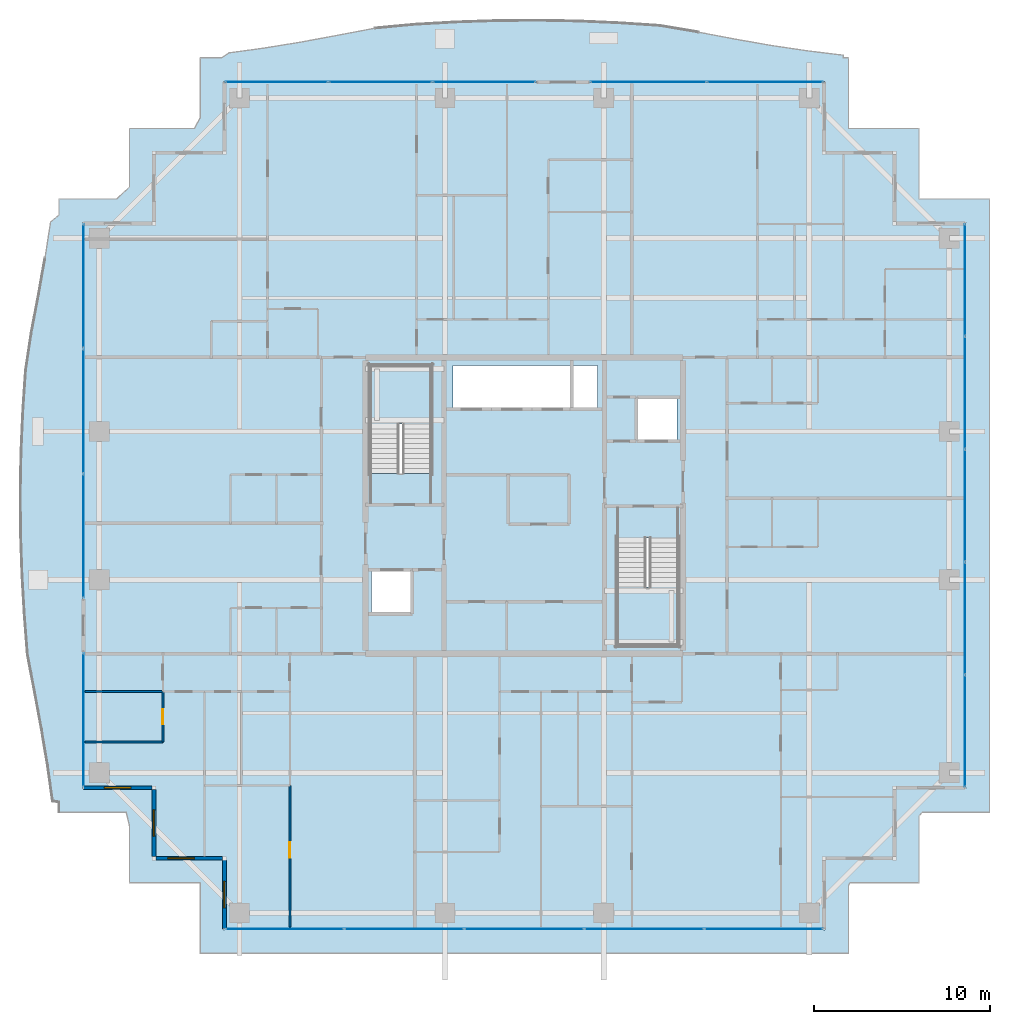
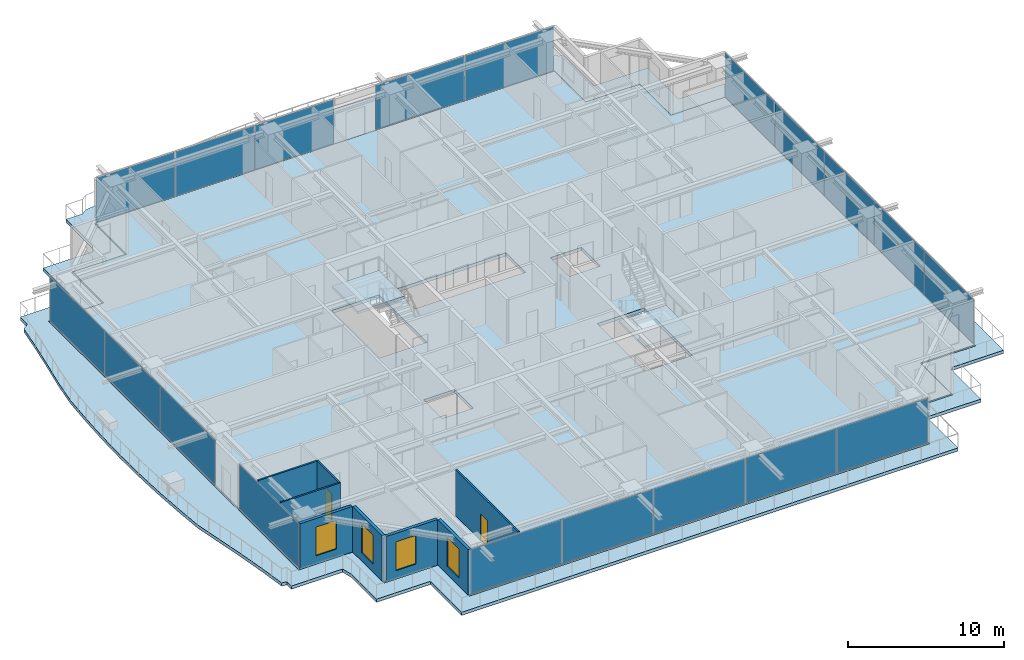
# One storey, part 26 of 39: 19 plates, 8 walls, 4 slabs, 4 windows, 2 doors, 6 openings, 8 elements without a shape of their own.
"""IFC4 building model written with IfcOpenShell, lengths in metres."""

from ifc_helpers import new_model, si_unit, direction, frame, frame_2d, origin, origin_2d, place, context, subcontext, project, spatial, polyline, rectangle, outline, extrude, source, transform, mapped, material, layer, layer_set, type_object, element, fill, aggregate, save


model = new_model("IFC4")

# Units and contexts
model_context = context("Model", 3, precision=1e-05, world=origin(), true_north=direction((0.0, 1.0)))
body_context = subcontext(model_context, "Body", "Model", "MODEL_VIEW")
ifc_project = project(units=[si_unit("LENGTHUNIT", "METRE"), si_unit("AREAUNIT", "SQUARE_METRE"), si_unit("VOLUMEUNIT", "CUBIC_METRE"), si_unit("PLANEANGLEUNIT", "RADIAN"), si_unit("MASSUNIT", "GRAM", prefix="KILO")], contexts=[model_context])

# Site, building, storey
site_placement = place(None, origin())
site = spatial("IfcSite", under=ifc_project, at=site_placement, CompositionType="ELEMENT")
building_placement = place(site_placement, origin())
building = spatial("IfcBuilding", under=site, at=building_placement, Name="Serunith Strait Residences", CompositionType="ELEMENT")
storey_placement = place(building_placement, frame((0.0, 0.0, 222.0)))
storey = spatial("IfcBuildingStorey", under=building, at=storey_placement, Name="L55", CompositionType="ELEMENT", Elevation=222.0)

# Slab
ifc_material_1 = material(Name="Concrete C50/60", Category="concrete")
ifc_layer_1 = layer(ifc_material_1, 0.239990234375, Name="Concrete C50/60")
ifc_layer_set_1 = layer_set([ifc_layer_1], Name="Concrete C50/60")
slab_type_1 = type_object("IfcSlabType", Name="SLB-BALC-240", PredefinedType="FLOOR", material=ifc_layer_set_1)
slab_1_placement = place(storey_placement, frame((0.0, 0.0, -0.2900390625)))
element("IfcSlab", 1, at=slab_1_placement, inside=storey, type_object=slab_type_1, Name="L55 Planted Vertical-Forest Balcony Slab", PredefinedType="FLOOR", context=body_context, shape_type="SweptSolid", body=[
    extrude(outline(polyline([(6.02001953125, 7.820068359375), (6.02001953125, 8.3837890625), (5.662109375, 8.444091796875), (5.37548828125, 10.4716796875), (5.03369140625, 12.520263671875), (4.646728515625, 14.607421875), (4.239501953125, 16.751953125), (4.06298828125, 19.01318359375), (3.931396484375, 21.309326171875), (3.852294921875, 23.6298828125), (3.833740234375, 25.9619140625), (3.878173828125, 28.289794921875), (3.980712890625, 30.599609375), (4.13232421875, 32.87939453125), (4.46533203125, 35.0703125), (4.86572265625, 37.177490234375), (5.22998046875, 39.23779296875), (5.541748046875, 41.270263671875), (6.02001953125, 41.672119140625), (6.02001953125, 42.580078125), (9.29443359375, 42.580078125), (10.02001953125, 43.254150390625), (10.02001953125, 46.580078125), (13.6962890625, 46.580078125), (14.02001953125, 47.163818359375), (14.02001953125, 50.580078125), (15.241455078125, 50.580078125), (15.6484375, 50.862060546875), (17.67431640625, 51.138671875), (19.719482421875, 51.472900390625), (21.802001953125, 51.856689453125), (23.94189453125, 52.26611328125), (26.19677734375, 52.47509765625), (28.498291015625, 52.6064453125), (30.8251953125, 52.685302734375), (33.1640625, 52.7041015625), (35.498779296875, 52.660400390625), (37.814697265625, 52.55810546875), (40.09912109375, 52.40673828125), (42.278076171875, 52.038330078125), (44.3798828125, 51.63818359375), (46.435791015625, 51.279541015625), (48.4658203125, 50.976806640625), (50.485107421875, 50.732177734375), (50.48388671875, 50.580078125), (50.780029296875, 50.580078125), (50.780029296875, 46.580078125), (54.780029296875, 46.580078125), (54.780029296875, 42.580078125), (58.780029296875, 42.580078125), (58.780029296875, 7.820068359375), (54.97509765625, 7.820068359375), (54.780029296875, 7.597900390625), (54.780029296875, 3.820068359375), (50.881103515625, 3.820068359375), (50.780029296875, 3.665283203125), (50.780029296875, -0.179931640625), (14.02001953125, -0.179931640625), (14.02001953125, 3.820068359375), (10.02001953125, 3.820068359375), (10.02001953125, 7.03466796875), (9.82861328125, 7.820068359375), (6.02001953125, 7.820068359375)]), holes=[polyline([(49.455078125, 1.14501953125), (49.455078125, 5.14501953125), (53.455078125, 5.14501953125), (53.455078125, 9.14501953125), (57.455078125, 9.14501953125), (57.455078125, 41.2548828125), (53.455078125, 41.2548828125), (53.455078125, 45.2548828125), (49.455078125, 45.2548828125), (49.455078125, 49.2548828125), (15.344970703125, 49.2548828125), (15.344970703125, 45.2548828125), (11.344970703125, 45.2548828125), (11.344970703125, 41.2548828125), (7.344970703125, 41.2548828125), (7.344970703125, 9.14501953125), (11.344970703125, 9.14501953125), (11.344970703125, 5.14501953125), (15.344970703125, 5.14501953125), (15.344970703125, 1.14501953125), (49.455078125, 1.14501953125)])]), origin(), (0.0, 0.0, 1.0), 0.239990234375),
])

# Stair, slab
stair_type_1 = type_object("IfcStairType", Name="STR-CORE-1", PredefinedType="HALF_TURN_STAIR", material=ifc_material_1)
stair_1_placement = place(storey_placement, origin())
stair_1 = element("IfcStair", 2, at=stair_1_placement, inside=storey, type_object=stair_type_1, Name="L55 Protected Escape Stair ST-1", PredefinedType="HALF_TURN_STAIR")
ifc_layer_2 = layer(ifc_material_1, 0.199951171875, Name="Concrete C50/60")
ifc_layer_set_2 = layer_set([ifc_layer_2], Name="Concrete C50/60")
slab_type_2 = type_object("IfcSlabType", Name="SLB-LAND-200", PredefinedType="LANDING", material=ifc_layer_set_2)
slab_2_placement = place(storey_placement, frame((0.0, 0.0, 1.72509765625)))
slab_2 = element("IfcSlab", 3, at=slab_2_placement, type_object=slab_type_2, Name="ST-1 landing 1", PredefinedType="LANDING", context=body_context, shape_type="SweptSolid", body=[
    extrude(outline(polyline([(27.14990234375, 29.830078125), (27.14990234375, 33.14990234375), (23.64990234375, 33.14990234375), (23.64990234375, 29.830078125), (27.14990234375, 29.830078125)])), origin(), (0.0, 0.0, 1.0), 0.199951171875),
])
aggregate(stair_1, [slab_2])

stair_type_2 = type_object("IfcStairType", Name="STR-CORE-2", PredefinedType="HALF_TURN_STAIR", material=ifc_material_1)
stair_2_placement = place(storey_placement, origin())
stair_2 = element("IfcStair", 4, at=stair_2_placement, inside=storey, type_object=stair_type_2, Name="L55 Protected Escape Stair ST-2", PredefinedType="HALF_TURN_STAIR")
slab_3_placement = place(storey_placement, frame((0.0, 0.0, 1.72509765625)))
slab_3 = element("IfcSlab", 5, at=slab_3_placement, type_object=slab_type_2, Name="ST-2 landing 1", PredefinedType="LANDING", context=body_context, shape_type="SweptSolid", body=[
    extrude(outline(polyline([(37.64990234375, 20.570068359375), (37.64990234375, 17.25), (41.14990234375, 17.25), (41.14990234375, 20.570068359375), (37.64990234375, 20.570068359375)])), origin(), (0.0, 0.0, 1.0), 0.199951171875),
])
aggregate(stair_2, [slab_3])

# Slab
ifc_material_2 = material(Name="Concrete C60/75", Category="concrete")
ifc_layer_3 = layer(ifc_material_2, 0.260009765625, Name="Concrete C60/75")
ifc_layer_set_3 = layer_set([ifc_layer_3], Name="Concrete C60/75")
slab_type_3 = type_object("IfcSlabType", Name="SLB-TWR-275-Z3", PredefinedType="FLOOR", material=ifc_layer_set_3)
slab_4_placement = place(storey_placement, frame((0.0, 0.0, -0.260009765625)))
element("IfcSlab", 6, at=slab_4_placement, inside=storey, type_object=slab_type_3, Name="L55 Structural Floor Plate", PredefinedType="FLOOR", context=body_context, shape_type="SweptSolid", body=[
    extrude(outline(polyline([(15.39990234375, 5.199951171875), (11.39990234375, 5.199951171875), (11.39990234375, 9.199951171875), (7.39990234375, 9.199951171875), (7.39990234375, 41.199951171875), (11.39990234375, 41.199951171875), (11.39990234375, 45.199951171875), (15.39990234375, 45.199951171875), (15.39990234375, 49.199951171875), (49.39990234375, 49.199951171875), (49.39990234375, 45.199951171875), (53.39990234375, 45.199951171875), (53.39990234375, 41.199951171875), (57.39990234375, 41.199951171875), (57.39990234375, 9.199951171875), (53.39990234375, 9.199951171875), (53.39990234375, 5.199951171875), (49.39990234375, 5.199951171875), (49.39990234375, 1.199951171875), (15.39990234375, 1.199951171875), (15.39990234375, 5.199951171875)]), holes=[polyline([(41.14990234375, 23.3701171875), (37.64990234375, 23.3701171875), (37.64990234375, 17.25), (41.14990234375, 17.25), (41.14990234375, 23.3701171875)]), polyline([(38.75, 31.25), (38.75, 28.85009765625), (41.050048828125, 28.85009765625), (41.050048828125, 31.25), (38.75, 31.25)]), polyline([(36.550048828125, 33.14990234375), (28.35009765625, 33.14990234375), (28.35009765625, 30.64990234375), (36.550048828125, 30.64990234375), (36.550048828125, 33.14990234375)]), polyline([(23.64990234375, 33.14990234375), (23.64990234375, 27.030029296875), (27.14990234375, 27.030029296875), (27.14990234375, 33.14990234375), (23.64990234375, 33.14990234375)]), polyline([(23.75, 21.550048828125), (23.75, 19.14990234375), (26.050048828125, 19.14990234375), (26.050048828125, 21.550048828125), (23.75, 21.550048828125)])]), origin(), (0.0, 0.0, 1.0), 0.260009765625),
])

# Curtain wall, plates
ifc_material_3 = material(Name="Pale-Champagne Anodised Aluminium", Category="aluminium")
ifc_layer_4 = layer(ifc_material_3, 0.199951171875, Name="Pale-Champagne Anodised Aluminium")
ifc_layer_set_4 = layer_set([ifc_layer_4], Name="Pale-Champagne Anodised Aluminium")
curtain_wall_type = type_object("IfcCurtainWallType", Name="CW-SYS4", PredefinedType="NOTDEFINED", material=ifc_layer_set_4)
curtain_wall_1_placement = place(storey_placement, origin())
curtain_wall_1 = element("IfcCurtainWall", 7, at=curtain_wall_1_placement, inside=storey, type_object=curtain_wall_type, Name="L55 E Unitised Fritted Curtain Wall", PredefinedType="NOTDEFINED")
ifc_material_4 = material(Name="Ceramic-Printed Solar-Control Glazing 28mm", Category="glass")
ifc_layer_5 = layer(ifc_material_4, 0.028076171875, Name="Ceramic-Printed Solar-Control Glazing 28mm")
ifc_layer_set_5 = layer_set([ifc_layer_5], Name="Ceramic-Printed Solar-Control Glazing 28mm")
plate_type = type_object("IfcPlateType", Name="CW-SYS4-PNL", PredefinedType="CURTAIN_PANEL", material=ifc_layer_set_5)
shared_shape_1 = source(origin(), body_context, "Body", "SweptSolid", [
    extrude(rectangle(XDim=6.302490234375, YDim=0.028076171875, at=origin_2d()), origin(), (0.0, 0.0, 1.0), 3.455078125),
])
plate_1_placement = place(storey_placement, frame((57.39990234375, 12.416259765625, 0.06005859375), z_axis=(0.0, 0.0, 1.0), x_axis=(0.0, 1.0, 0.0)))
plate_1 = element("IfcPlate", 8, at=plate_1_placement, type_object=plate_type, Name="CW-4 panel 1.1", PredefinedType="CURTAIN_PANEL", context=body_context, shape_type="MappedRepresentation", body=[
    mapped(shared_shape_1, transform((0.0, 0.0, 0.0), scale=1.0)),
])
plate_2_placement = place(storey_placement, frame((57.39990234375, 37.983642578125, 0.06005859375), z_axis=(0.0, 0.0, 1.0), x_axis=(0.0, 1.0, 0.0)))
plate_2 = element("IfcPlate", 9, at=plate_2_placement, type_object=plate_type, Name="CW-4 panel 5.1", PredefinedType="CURTAIN_PANEL", context=body_context, shape_type="MappedRepresentation", body=[
    mapped(shared_shape_1, transform((0.0, 0.0, 0.0), scale=1.0)),
])
shared_shape_2 = source(origin(), body_context, "Body", "SweptSolid", [
    extrude(rectangle(XDim=6.3349609375, YDim=0.028076171875, at=origin_2d()), origin(), (0.0, 0.0, 1.0), 3.455078125),
])
plate_3_placement = place(storey_placement, frame((57.39990234375, 18.800048828125, 0.06005859375), z_axis=(0.0, 0.0, 1.0), x_axis=(0.0, 1.0, 0.0)))
plate_3 = element("IfcPlate", 10, at=plate_3_placement, type_object=plate_type, Name="CW-4 panel 2.1", PredefinedType="CURTAIN_PANEL", context=body_context, shape_type="MappedRepresentation", body=[
    mapped(shared_shape_2, transform((0.0, 0.0, 0.0), scale=1.0)),
])
plate_4_placement = place(storey_placement, frame((57.39990234375, 25.199951171875, 0.06005859375), z_axis=(0.0, 0.0, 1.0), x_axis=(0.0, 1.0, 0.0)))
plate_4 = element("IfcPlate", 11, at=plate_4_placement, type_object=plate_type, Name="CW-4 panel 3.1", PredefinedType="CURTAIN_PANEL", context=body_context, shape_type="MappedRepresentation", body=[
    mapped(shared_shape_2, transform((0.0, 0.0, 0.0), scale=1.0)),
])
plate_5_placement = place(storey_placement, frame((57.39990234375, 31.60009765625, 0.06005859375), z_axis=(0.0, 0.0, 1.0), x_axis=(0.0, 1.0, 0.0)))
plate_5 = element("IfcPlate", 12, at=plate_5_placement, type_object=plate_type, Name="CW-4 panel 4.1", PredefinedType="CURTAIN_PANEL", context=body_context, shape_type="MappedRepresentation", body=[
    mapped(shared_shape_2, transform((0.0, 0.0, 0.0), scale=1.0)),
])
aggregate(curtain_wall_1, [plate_1, plate_3, plate_4, plate_5, plate_2])

curtain_wall_2_placement = place(storey_placement, origin())
curtain_wall_2 = element("IfcCurtainWall", 13, at=curtain_wall_2_placement, inside=storey, type_object=curtain_wall_type, Name="L55 S Unitised Fritted Curtain Wall", PredefinedType="NOTDEFINED")
shared_shape_3 = source(origin(), body_context, "Body", "SweptSolid", [
    extrude(rectangle(XDim=6.702392578125, YDim=0.028076171875, at=origin_2d()), origin(), (0.0, 0.0, 1.0), 3.455078125),
])
plate_6_placement = place(storey_placement, frame((18.816162109375, 1.199951171875, 0.06005859375), z_axis=(0.0, 0.0, 1.0), x_axis=(1.0, 0.0, 0.0)))
plate_6 = element("IfcPlate", 14, at=plate_6_placement, type_object=plate_type, Name="CW-4 panel 1.1", PredefinedType="CURTAIN_PANEL", context=body_context, shape_type="MappedRepresentation", body=[
    mapped(shared_shape_3, transform((0.0, 0.0, 0.0), scale=1.0)),
])
plate_7_placement = place(storey_placement, frame((45.983642578125, 1.199951171875, 0.06005859375), z_axis=(0.0, 0.0, 1.0), x_axis=(1.0, 0.0, 0.0)))
plate_7 = element("IfcPlate", 15, at=plate_7_placement, type_object=plate_type, Name="CW-4 panel 5.1", PredefinedType="CURTAIN_PANEL", context=body_context, shape_type="MappedRepresentation", body=[
    mapped(shared_shape_3, transform((0.0, 0.0, 0.0), scale=1.0)),
])
shared_shape_4 = source(origin(), body_context, "Body", "SweptSolid", [
    extrude(rectangle(XDim=6.735107421875, YDim=0.028076171875, at=origin_2d()), origin(), (0.0, 0.0, 1.0), 3.455078125),
])
plate_8_placement = place(storey_placement, frame((25.60009765625, 1.199951171875, 0.06005859375), z_axis=(0.0, 0.0, 1.0), x_axis=(1.0, 0.0, 0.0)))
plate_8 = element("IfcPlate", 16, at=plate_8_placement, type_object=plate_type, Name="CW-4 panel 2.1", PredefinedType="CURTAIN_PANEL", context=body_context, shape_type="MappedRepresentation", body=[
    mapped(shared_shape_4, transform((0.0, 0.0, 0.0), scale=1.0)),
])
plate_9_placement = place(storey_placement, frame((32.39990234375, 1.199951171875, 0.06005859375), z_axis=(0.0, 0.0, 1.0), x_axis=(1.0, 0.0, 0.0)))
plate_9 = element("IfcPlate", 17, at=plate_9_placement, type_object=plate_type, Name="CW-4 panel 3.1", PredefinedType="CURTAIN_PANEL", context=body_context, shape_type="MappedRepresentation", body=[
    mapped(shared_shape_4, transform((0.0, 0.0, 0.0), scale=1.0)),
])
plate_10_placement = place(storey_placement, frame((39.199951171875, 1.199951171875, 0.06005859375), z_axis=(0.0, 0.0, 1.0), x_axis=(1.0, 0.0, 0.0)))
plate_10 = element("IfcPlate", 18, at=plate_10_placement, type_object=plate_type, Name="CW-4 panel 4.1", PredefinedType="CURTAIN_PANEL", context=body_context, shape_type="MappedRepresentation", body=[
    mapped(shared_shape_4, transform((0.0, 0.0, 0.0), scale=1.0)),
])
aggregate(curtain_wall_2, [plate_6, plate_8, plate_9, plate_10, plate_7])

curtain_wall_3_placement = place(storey_placement, origin())
curtain_wall_3 = element("IfcCurtainWall", 19, at=curtain_wall_3_placement, inside=storey, type_object=curtain_wall_type, Name="L55 N Unitised Fritted Curtain Wall", PredefinedType="NOTDEFINED")
shared_shape_5 = source(origin(), body_context, "Body", "SweptSolid", [
    extrude(rectangle(XDim=6.552490234375, YDim=0.028076171875, at=origin_2d()), origin(), (0.0, 0.0, 1.0), 3.455078125),
])
plate_11_placement = place(storey_placement, frame((46.058837890625, 49.199951171875, 0.06005859375), z_axis=(0.0, 0.0, 1.0), x_axis=(-1.0, 0.0, 0.0)))
plate_11 = element("IfcPlate", 20, at=plate_11_placement, type_object=plate_type, Name="CW-4 panel 1.1", PredefinedType="CURTAIN_PANEL", context=body_context, shape_type="MappedRepresentation", body=[
    mapped(shared_shape_5, transform((0.0, 0.0, 0.0), scale=1.0)),
])
plate_12_placement = place(storey_placement, frame((39.441162109375, 49.199951171875, 0.06005859375), z_axis=(0.0, 0.0, 1.0), x_axis=(-1.0, 0.0, 0.0)))
plate_12 = element("IfcPlate", 21, at=plate_12_placement, type_object=plate_type, Name="CW-4 panel 2.1", PredefinedType="CURTAIN_PANEL", context=body_context, shape_type="MappedRepresentation", body=[
    mapped(shared_shape_5, transform((0.0, 0.0, 0.0), scale=1.0)),
])
aggregate(curtain_wall_3, [plate_11, plate_12])

curtain_wall_4_placement = place(storey_placement, origin())
curtain_wall_4 = element("IfcCurtainWall", 22, at=curtain_wall_4_placement, inside=storey, type_object=curtain_wall_type, Name="L55 N Unitised Fritted Curtain Wall", PredefinedType="NOTDEFINED")
shared_shape_6 = source(origin(), body_context, "Body", "SweptSolid", [
    extrude(rectangle(XDim=5.802490234375, YDim=0.028076171875, at=origin_2d()), origin(), (0.0, 0.0, 1.0), 3.455078125),
])
plate_13_placement = place(storey_placement, frame((30.1337890625, 49.199951171875, 0.06005859375), z_axis=(0.0, 0.0, 1.0), x_axis=(-1.0, 0.0, 0.0)))
plate_13 = element("IfcPlate", 23, at=plate_13_placement, type_object=plate_type, Name="CW-4 panel 1.1", PredefinedType="CURTAIN_PANEL", context=body_context, shape_type="MappedRepresentation", body=[
    mapped(shared_shape_6, transform((0.0, 0.0, 0.0), scale=1.0)),
])
plate_14_placement = place(storey_placement, frame((18.3662109375, 49.199951171875, 0.06005859375), z_axis=(0.0, 0.0, 1.0), x_axis=(-1.0, 0.0, 0.0)))
plate_14 = element("IfcPlate", 24, at=plate_14_placement, type_object=plate_type, Name="CW-4 panel 3.1", PredefinedType="CURTAIN_PANEL", context=body_context, shape_type="MappedRepresentation", body=[
    mapped(shared_shape_6, transform((0.0, 0.0, 0.0), scale=1.0)),
])
shared_shape_7 = source(origin(), body_context, "Body", "SweptSolid", [
    extrude(rectangle(XDim=5.8349609375, YDim=0.028076171875, at=origin_2d()), origin(), (0.0, 0.0, 1.0), 3.455078125),
])
plate_15_placement = place(storey_placement, frame((24.25, 49.199951171875, 0.06005859375), z_axis=(0.0, 0.0, 1.0), x_axis=(-1.0, 0.0, 0.0)))
plate_15 = element("IfcPlate", 25, at=plate_15_placement, type_object=plate_type, Name="CW-4 panel 2.1", PredefinedType="CURTAIN_PANEL", context=body_context, shape_type="MappedRepresentation", body=[
    mapped(shared_shape_7, transform((0.0, 0.0, 0.0), scale=1.0)),
])
aggregate(curtain_wall_4, [plate_13, plate_15, plate_14])

curtain_wall_5_placement = place(storey_placement, origin())
curtain_wall_5 = element("IfcCurtainWall", 26, at=curtain_wall_5_placement, inside=storey, type_object=curtain_wall_type, Name="L55 W Unitised Fritted Curtain Wall", PredefinedType="NOTDEFINED")
shared_shape_8 = source(origin(), body_context, "Body", "SweptSolid", [
    extrude(rectangle(XDim=7.00244140625, YDim=0.028076171875, at=origin_2d()), origin(), (0.0, 0.0, 1.0), 3.455078125),
])
plate_16_placement = place(storey_placement, frame((7.39990234375, 37.6337890625, 0.06005859375), z_axis=(0.0, 0.0, 1.0), x_axis=(0.0, -1.0, 0.0)))
plate_16 = element("IfcPlate", 27, at=plate_16_placement, type_object=plate_type, Name="CW-4 panel 1.1", PredefinedType="CURTAIN_PANEL", context=body_context, shape_type="MappedRepresentation", body=[
    mapped(shared_shape_8, transform((0.0, 0.0, 0.0), scale=1.0)),
])
plate_17_placement = place(storey_placement, frame((7.39990234375, 23.46630859375, 0.06005859375), z_axis=(0.0, 0.0, 1.0), x_axis=(0.0, -1.0, 0.0)))
plate_17 = element("IfcPlate", 28, at=plate_17_placement, type_object=plate_type, Name="CW-4 panel 3.1", PredefinedType="CURTAIN_PANEL", context=body_context, shape_type="MappedRepresentation", body=[
    mapped(shared_shape_8, transform((0.0, 0.0, 0.0), scale=1.0)),
])
shared_shape_9 = source(origin(), body_context, "Body", "SweptSolid", [
    extrude(rectangle(XDim=7.034912109375, YDim=0.028076171875, at=origin_2d()), origin(), (0.0, 0.0, 1.0), 3.455078125),
])
plate_18_placement = place(storey_placement, frame((7.39990234375, 30.550048828125, 0.06005859375), z_axis=(0.0, 0.0, 1.0), x_axis=(0.0, -1.0, 0.0)))
plate_18 = element("IfcPlate", 29, at=plate_18_placement, type_object=plate_type, Name="CW-4 panel 2.1", PredefinedType="CURTAIN_PANEL", context=body_context, shape_type="MappedRepresentation", body=[
    mapped(shared_shape_9, transform((0.0, 0.0, 0.0), scale=1.0)),
])
aggregate(curtain_wall_5, [plate_16, plate_18, plate_17])

# Curtain wall, plate
curtain_wall_6_placement = place(storey_placement, origin())
curtain_wall_6 = element("IfcCurtainWall", 30, at=curtain_wall_6_placement, inside=storey, type_object=curtain_wall_type, Name="L55 W Unitised Fritted Curtain Wall", PredefinedType="NOTDEFINED")
shared_shape_10 = source(origin(), body_context, "Body", "SweptSolid", [
    extrude(rectangle(XDim=7.570068359375, YDim=0.028076171875, at=origin_2d()), origin(), (0.0, 0.0, 1.0), 3.455078125),
])
plate_19_placement = place(storey_placement, frame((7.39990234375, 13.050048828125, 0.06005859375), z_axis=(0.0, 0.0, 1.0), x_axis=(0.0, -1.0, 0.0)))
plate_19 = element("IfcPlate", 31, at=plate_19_placement, type_object=plate_type, Name="CW-4 panel 1.1", PredefinedType="CURTAIN_PANEL", context=body_context, shape_type="MappedRepresentation", body=[
    mapped(shared_shape_10, transform((0.0, 0.0, 0.0), scale=1.0)),
])
aggregate(curtain_wall_6, [plate_19])

# Wall, opening, window
ifc_material_5 = material(Name="Pale-Champagne Aluminium Insulated Panel", Category="aluminium")
ifc_layer_6 = layer(ifc_material_5, 0.219970703125, Name="Pale-Champagne Aluminium Insulated Panel")
ifc_layer_set_6 = layer_set([ifc_layer_6], Name="Pale-Champagne Aluminium Insulated Panel")
wall_type_1 = type_object("IfcWallType", Name="EW-ALUM-220", PredefinedType="ELEMENTEDWALL", material=ifc_layer_set_6)
wall_1_placement = place(storey_placement, frame((7.39990234375, 9.199951171875, 0.0), z_axis=(0.0, 0.0, 1.0), x_axis=(1.0, 0.0, 0.0)))
wall_1 = element("IfcWall", 32, at=wall_1_placement, inside=storey, type_object=wall_type_1, Name="L55 Girih Serrated Corner Wall 17", PredefinedType="ELEMENTEDWALL", context=body_context, shape_type="SweptSolid", body=[
    extrude(rectangle(XDim=3.89013671875, YDim=0.219970703125, at=frame_2d((1.945068359375, 0.0))), origin(), (0.0, 0.0, 1.0), 3.574951171875),
])
opening_1_placement = place(wall_1_placement, frame((1.195068359375, 0.0, 0.64990234375)))
opening_1 = element("IfcOpeningElement", 33, at=opening_1_placement, cuts=wall_1, Name="Opening W-05", PredefinedType="OPENING", context=body_context, shape_type="SweptSolid", body=[
    extrude(rectangle(XDim=1.5, YDim=2.25, at=frame_2d((0.75, 1.125))), frame((0.0, 0.1201171875, 0.0), z_axis=(0.0, -1.0, 0.0), x_axis=(1.0, 0.0, 0.0)), (0.0, 0.0, 1.0), 0.239990234375),
])
ifc_material_6 = material(Name="Ceramic-Fritted Operable Aluminium Window Glass", Category="aluminium")
window_type = type_object("IfcWindowType", Name="WIN-C5", PartitioningType="DOUBLE_PANEL_VERTICAL", PredefinedType="WINDOW", material=ifc_material_6)
shared_shape_11 = source(origin(), body_context, "Body", "SweptSolid", [
    extrude(rectangle(XDim=1.5, YDim=2.25, at=frame_2d((0.75, 1.125))), frame((0.0, 0.030029296875, 0.0), z_axis=(0.0, -1.0, 0.0), x_axis=(1.0, 0.0, 0.0)), (0.0, 0.0, 1.0), 0.06005859375),
])
window_1_placement = place(opening_1_placement, origin())
window_1 = element("IfcWindow", 34, at=window_1_placement, inside=storey, type_object=window_type, Name="L55 Corner Operable Fritted Window 17", OverallHeight=2.25, OverallWidth=1.5, PartitioningType="SINGLE_PANEL", PredefinedType="WINDOW", context=body_context, shape_type="MappedRepresentation", body=[
    mapped(shared_shape_11, transform((0.0, 0.0, 0.0), scale=1.0)),
])
fill(opening_1, window_1)

wall_2_placement = place(storey_placement, frame((11.39990234375, 9.090087890625, 0.0), z_axis=(0.0, 0.0, 1.0), x_axis=(0.0, -1.0, 0.0)))
wall_2 = element("IfcWall", 35, at=wall_2_placement, inside=storey, type_object=wall_type_1, Name="L55 Girih Serrated Corner Wall 18", PredefinedType="ELEMENTEDWALL", context=body_context, shape_type="SweptSolid", body=[
    extrude(rectangle(XDim=3.780029296875, YDim=0.219970703125, at=frame_2d((1.89013671875, 0.0))), origin(), (0.0, 0.0, 1.0), 3.574951171875),
])
opening_2_placement = place(wall_2_placement, frame((1.139892578125, 0.0, 0.64990234375)))
opening_2 = element("IfcOpeningElement", 36, at=opening_2_placement, cuts=wall_2, Name="Opening W-05", PredefinedType="OPENING", context=body_context, shape_type="SweptSolid", body=[
    extrude(rectangle(XDim=1.5, YDim=2.25, at=frame_2d((0.75, 1.125))), frame((0.0, 0.1201171875, 0.0), z_axis=(0.0, -1.0, 0.0), x_axis=(1.0, 0.0, 0.0)), (0.0, 0.0, 1.0), 0.239990234375),
])
window_2_placement = place(opening_2_placement, origin())
window_2 = element("IfcWindow", 37, at=window_2_placement, inside=storey, type_object=window_type, Name="L55 Corner Operable Fritted Window 18", OverallHeight=2.25, OverallWidth=1.5, PartitioningType="SINGLE_PANEL", PredefinedType="WINDOW", context=body_context, shape_type="MappedRepresentation", body=[
    mapped(shared_shape_11, transform((0.0, 0.0, 0.0), scale=1.0)),
])
fill(opening_2, window_2)

wall_3_placement = place(storey_placement, frame((11.510009765625, 5.199951171875, 0.0), z_axis=(0.0, 0.0, 1.0), x_axis=(1.0, 0.0, 0.0)))
wall_3 = element("IfcWall", 38, at=wall_3_placement, inside=storey, type_object=wall_type_1, Name="L55 Girih Serrated Corner Wall 19", PredefinedType="ELEMENTEDWALL", context=body_context, shape_type="SweptSolid", body=[
    extrude(rectangle(XDim=3.780029296875, YDim=0.219970703125, at=frame_2d((1.89013671875, 0.0))), origin(), (0.0, 0.0, 1.0), 3.574951171875),
])
opening_3_placement = place(wall_3_placement, frame((0.68408203125, 0.0, 0.64990234375)))
opening_3 = element("IfcOpeningElement", 39, at=opening_3_placement, cuts=wall_3, Name="Opening W-05", PredefinedType="OPENING", context=body_context, shape_type="SweptSolid", body=[
    extrude(rectangle(XDim=1.5, YDim=2.25, at=frame_2d((0.75, 1.125))), frame((0.0, 0.1201171875, 0.0), z_axis=(0.0, -1.0, 0.0), x_axis=(1.0, 0.0, 0.0)), (0.0, 0.0, 1.0), 0.239990234375),
])
window_3_placement = place(opening_3_placement, origin())
window_3 = element("IfcWindow", 40, at=window_3_placement, inside=storey, type_object=window_type, Name="L55 Corner Operable Fritted Window 19", OverallHeight=2.25, OverallWidth=1.5, PartitioningType="SINGLE_PANEL", PredefinedType="WINDOW", context=body_context, shape_type="MappedRepresentation", body=[
    mapped(shared_shape_11, transform((0.0, 0.0, 0.0), scale=1.0)),
])
fill(opening_3, window_3)

wall_4_placement = place(storey_placement, frame((15.39990234375, 5.090087890625, 0.0), z_axis=(0.0, 0.0, 1.0), x_axis=(0.0, -1.0, 0.0)))
wall_4 = element("IfcWall", 41, at=wall_4_placement, inside=storey, type_object=wall_type_1, Name="L55 Girih Serrated Corner Wall 20", PredefinedType="ELEMENTEDWALL", context=body_context, shape_type="SweptSolid", body=[
    extrude(rectangle(XDim=3.89013671875, YDim=0.219970703125, at=frame_2d((1.945068359375, 0.0))), origin(), (0.0, 0.0, 1.0), 3.574951171875),
])
opening_4_placement = place(wall_4_placement, frame((1.195068359375, 0.0, 0.64990234375)))
opening_4 = element("IfcOpeningElement", 42, at=opening_4_placement, cuts=wall_4, Name="Opening W-05", PredefinedType="OPENING", context=body_context, shape_type="SweptSolid", body=[
    extrude(rectangle(XDim=1.5, YDim=2.25, at=frame_2d((0.75, 1.125))), frame((0.0, 0.1201171875, 0.0), z_axis=(0.0, -1.0, 0.0), x_axis=(1.0, 0.0, 0.0)), (0.0, 0.0, 1.0), 0.239990234375),
])
window_4_placement = place(opening_4_placement, origin())
window_4 = element("IfcWindow", 43, at=window_4_placement, inside=storey, type_object=window_type, Name="L55 Corner Operable Fritted Window 20", OverallHeight=2.25, OverallWidth=1.5, PartitioningType="SINGLE_PANEL", PredefinedType="WINDOW", context=body_context, shape_type="MappedRepresentation", body=[
    mapped(shared_shape_11, transform((0.0, 0.0, 0.0), scale=1.0)),
])
fill(opening_4, window_4)

# Wall, opening, door
ifc_material_7 = material(Name="Lightweight steel-stud gypsum partition", Category="steel")
ifc_layer_7 = layer(ifc_material_7, 0.1201171875, Name="Lightweight steel-stud gypsum partition")
ifc_layer_set_7 = layer_set([ifc_layer_7], Name="Lightweight steel-stud gypsum partition")
wall_type_2 = type_object("IfcWallType", Name="IW-PART-120", PredefinedType="PARTITIONING", material=ifc_layer_set_7)
wall_5_placement = place(storey_placement, frame((19.110107421875, 1.294921875, 0.0), z_axis=(0.0, 0.0, 1.0), x_axis=(0.0, 1.0, 0.0)))
wall_5 = element("IfcWall", 44, at=wall_5_placement, inside=storey, type_object=wall_type_2, Name="L55 Partition Wall 034", PredefinedType="PARTITIONING", context=body_context, shape_type="SweptSolid", body=[
    extrude(rectangle(XDim=8.0400390625, YDim=0.1201171875, at=frame_2d((4.02001953125, 0.0))), origin(), (0.0, 0.0, 1.0), 3.590087890625),
])
opening_5_placement = place(wall_5_placement, frame((3.927001953125, 0.0, 0.0)))
opening_5 = element("IfcOpeningElement", 45, at=opening_5_placement, cuts=wall_5, Name="Opening D-RM900", PredefinedType="OPENING", context=body_context, shape_type="SweptSolid", body=[
    extrude(rectangle(XDim=0.89990234375, YDim=2.10009765625, at=frame_2d((0.449951171875, 1.050048828125))), frame((0.0, 0.070068359375, 0.0), z_axis=(0.0, -1.0, 0.0), x_axis=(1.0, 0.0, 0.0)), (0.0, 0.0, 1.0), 0.14013671875),
])
ifc_material_8 = material(Name="Engineered timber flush bedroom door", Category="wood")
door_type_1 = type_object("IfcDoorType", Name="ID-ROOM-900", OperationType="NOTDEFINED", PredefinedType="DOOR", material=ifc_material_8)
shared_shape_12 = source(origin(), body_context, "Body", "SweptSolid", [
    extrude(rectangle(XDim=0.89990234375, YDim=2.10009765625, at=frame_2d((0.449951171875, 1.050048828125))), frame((0.0, 0.02490234375, 0.0), z_axis=(0.0, -1.0, 0.0), x_axis=(1.0, 0.0, 0.0)), (0.0, 0.0, 1.0), 0.050048828125),
])
door_1_placement = place(opening_5_placement, origin())
door_1 = element("IfcDoor", 46, at=door_1_placement, inside=storey, type_object=door_type_1, Name="L55 Formal Dining Room 1 5501 Door", OperationType="SINGLE_SWING_RIGHT", OverallHeight=2.10009765625, OverallWidth=0.89990234375, PredefinedType="DOOR", context=body_context, shape_type="MappedRepresentation", body=[
    mapped(shared_shape_12, transform((0.0, 0.0, 0.0), scale=1.0)),
])
fill(opening_5, door_1)

# Walls
wall_6_placement = place(storey_placement, frame((7.4951171875, 11.79296875, 0.0), z_axis=(0.0, 0.0, 1.0), x_axis=(1.0, 0.0, 0.0)))
element("IfcWall", 47, at=wall_6_placement, inside=storey, type_object=wall_type_2, Name="L55 Partition Wall 042", PredefinedType="PARTITIONING", context=body_context, shape_type="SweptSolid", body=[
    extrude(rectangle(XDim=4.414794921875, YDim=0.1201171875, at=frame_2d((2.20751953125, 0.0))), origin(), (0.0, 0.0, 1.0), 3.590087890625),
])
wall_7_placement = place(storey_placement, frame((7.4951171875, 14.64990234375, 0.0), z_axis=(0.0, 0.0, 1.0), x_axis=(1.0, 0.0, 0.0)))
element("IfcWall", 48, at=wall_7_placement, inside=storey, type_object=wall_type_2, Name="L55 Partition Wall 043", PredefinedType="PARTITIONING", context=body_context, shape_type="SweptSolid", body=[
    extrude(rectangle(XDim=4.412841796875, YDim=0.1201171875, at=frame_2d((2.20654296875, 0.0))), origin(), (0.0, 0.0, 1.0), 3.590087890625),
])

# Wall, opening, door
wall_8_placement = place(storey_placement, frame((11.909912109375, 11.79296875, 0.0), z_axis=(0.0, 0.0, 1.0), x_axis=(0.0, 1.0, 0.0)))
wall_8 = element("IfcWall", 49, at=wall_8_placement, inside=storey, type_object=wall_type_2, Name="L55 Partition Wall 044", PredefinedType="PARTITIONING", context=body_context, shape_type="SweptSolid", body=[
    extrude(rectangle(XDim=2.85693359375, YDim=0.1201171875, at=frame_2d((1.428466796875, 0.0))), origin(), (0.0, 0.0, 1.0), 3.590087890625),
])
opening_6_placement = place(wall_8_placement, frame((1.00390625, 0.0, 0.0)))
opening_6 = element("IfcOpeningElement", 50, at=opening_6_placement, cuts=wall_8, Name="Opening D-BTH850", PredefinedType="OPENING", context=body_context, shape_type="SweptSolid", body=[
    extrude(rectangle(XDim=0.85009765625, YDim=2.10009765625, at=frame_2d((0.425048828125, 1.050048828125))), frame((0.0, 0.070068359375, 0.0), z_axis=(0.0, -1.0, 0.0), x_axis=(1.0, 0.0, 0.0)), (0.0, 0.0, 1.0), 0.14013671875),
])
ifc_material_9 = material(Name="Moisture-resistant timber bathroom door", Category="wood")
door_type_2 = type_object("IfcDoorType", Name="ID-BATH-850", OperationType="NOTDEFINED", PredefinedType="DOOR", material=ifc_material_9)
shared_shape_13 = source(origin(), body_context, "Body", "SweptSolid", [
    extrude(rectangle(XDim=0.85009765625, YDim=2.10009765625, at=frame_2d((0.425048828125, 1.050048828125))), frame((0.0, 0.02490234375, 0.0), z_axis=(0.0, -1.0, 0.0), x_axis=(1.0, 0.0, 0.0)), (0.0, 0.0, 1.0), 0.050048828125),
])
door_2_placement = place(opening_6_placement, origin())
door_2 = element("IfcDoor", 51, at=door_2_placement, inside=storey, type_object=door_type_2, Name="L55 En-suite Bathroom W 5501 Door", OperationType="SINGLE_SWING_RIGHT", OverallHeight=2.10009765625, OverallWidth=0.85009765625, PredefinedType="DOOR", context=body_context, shape_type="MappedRepresentation", body=[
    mapped(shared_shape_13, transform((0.0, 0.0, 0.0), scale=1.0)),
])
fill(opening_6, door_2)

save(model, "model.ifc")
